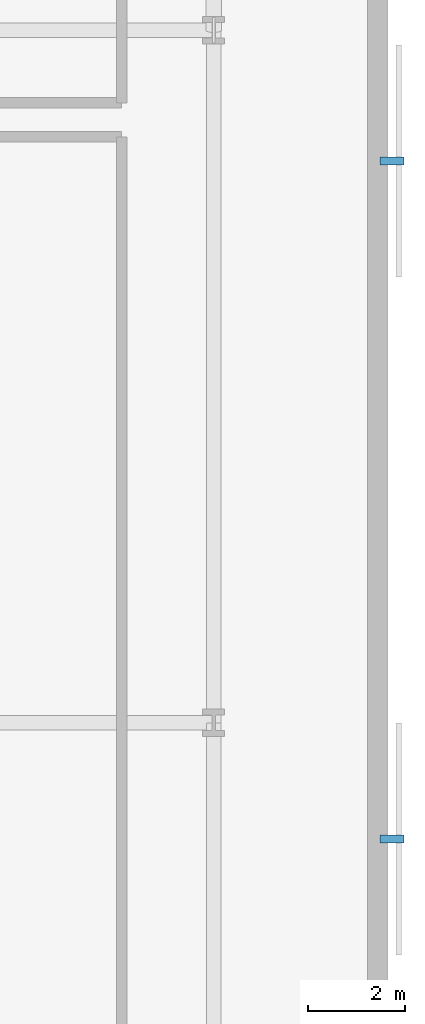
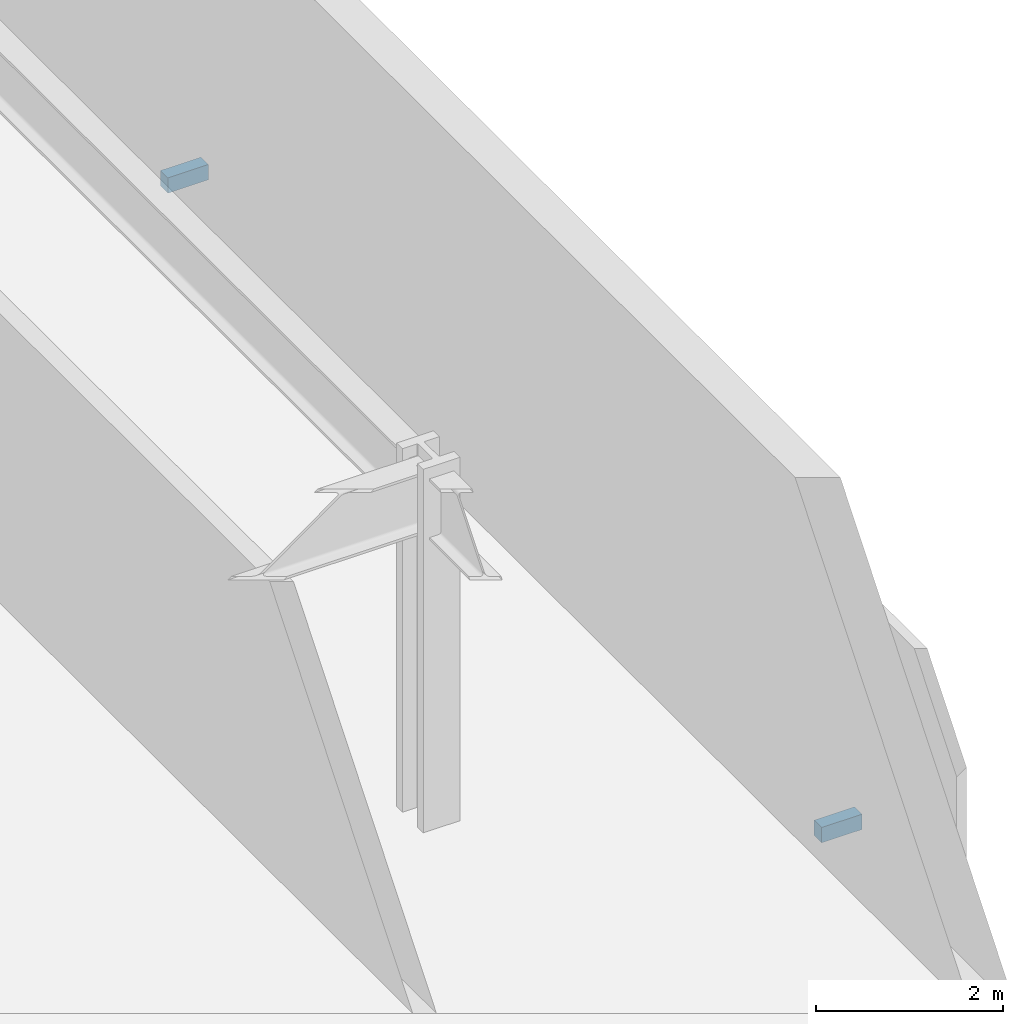
# One storey, part 32 of 40: 2 discrete accessories.
"""IFC4 building model written with IfcOpenShell, lengths in metres."""

from ifc_helpers import new_model, si_unit, direction, frame, origin, origin_2d, place, context, subcontext, project, spatial, rectangle, extrude, material, type_object, element, save


model = new_model("IFC4")

# Units and contexts
model_context = context("Model", 3, precision=1e-05, world=origin(), true_north=direction((0.0, 1.0)))
body_context = subcontext(model_context, "Body", "Model", "MODEL_VIEW")
ifc_project = project(units=[si_unit("LENGTHUNIT", "METRE"), si_unit("AREAUNIT", "SQUARE_METRE"), si_unit("VOLUMEUNIT", "CUBIC_METRE"), si_unit("PLANEANGLEUNIT", "RADIAN"), si_unit("MASSUNIT", "GRAM", prefix="KILO")], contexts=[model_context])

# Site, building, storey
site_placement = place(None, origin())
site = spatial("IfcSite", under=ifc_project, at=site_placement, CompositionType="ELEMENT")
building_placement = place(site_placement, origin())
building = spatial("IfcBuilding", under=site, at=building_placement, Name="Narakoshi Arena Tower", CompositionType="ELEMENT")
storey_placement = place(building_placement, frame((0.0, 0.0, 21.60009765625)))
storey = spatial("IfcBuildingStorey", under=building, at=storey_placement, Name="L05", CompositionType="ELEMENT", Elevation=21.60009765625)

# Discrete accessories
ifc_material = material(Name="Structural steel S355J2", Category="steel")
discrete_accessory_type = type_object("IfcDiscreteAccessoryType", Name="ACC-BRK-SCR", PredefinedType="BRACKET", material=ifc_material)
for number, where, z_axis, x_axis, name in (
    (1, (126.080078125, 18.0, -0.080078125), (0.0, 0.0, 1.0), (0.0, 1.0, 0.0), "L05 Solar Screen Support Bracket SHD-L05-LVR-E1"),
    (2, (126.080078125, 32.0, -0.080078125), (0.0, 0.0, 1.0), (0.0, 1.0, 0.0), "L05 Solar Screen Support Bracket SHD-L05-LVR-E2"),
):
    element("IfcDiscreteAccessory", number, at=place(storey_placement, frame(where, z_axis=z_axis, x_axis=x_axis)), inside=storey, type_object=discrete_accessory_type, Name=name, PredefinedType="BRACKET", context=body_context, shape_type="SweptSolid", body=[
        extrude(rectangle(XDim=0.159912109375, YDim=0.5, at=origin_2d()), origin(), (0.0, 0.0, 1.0), 0.199951171875),
    ])

save(model, "model.ifc")
